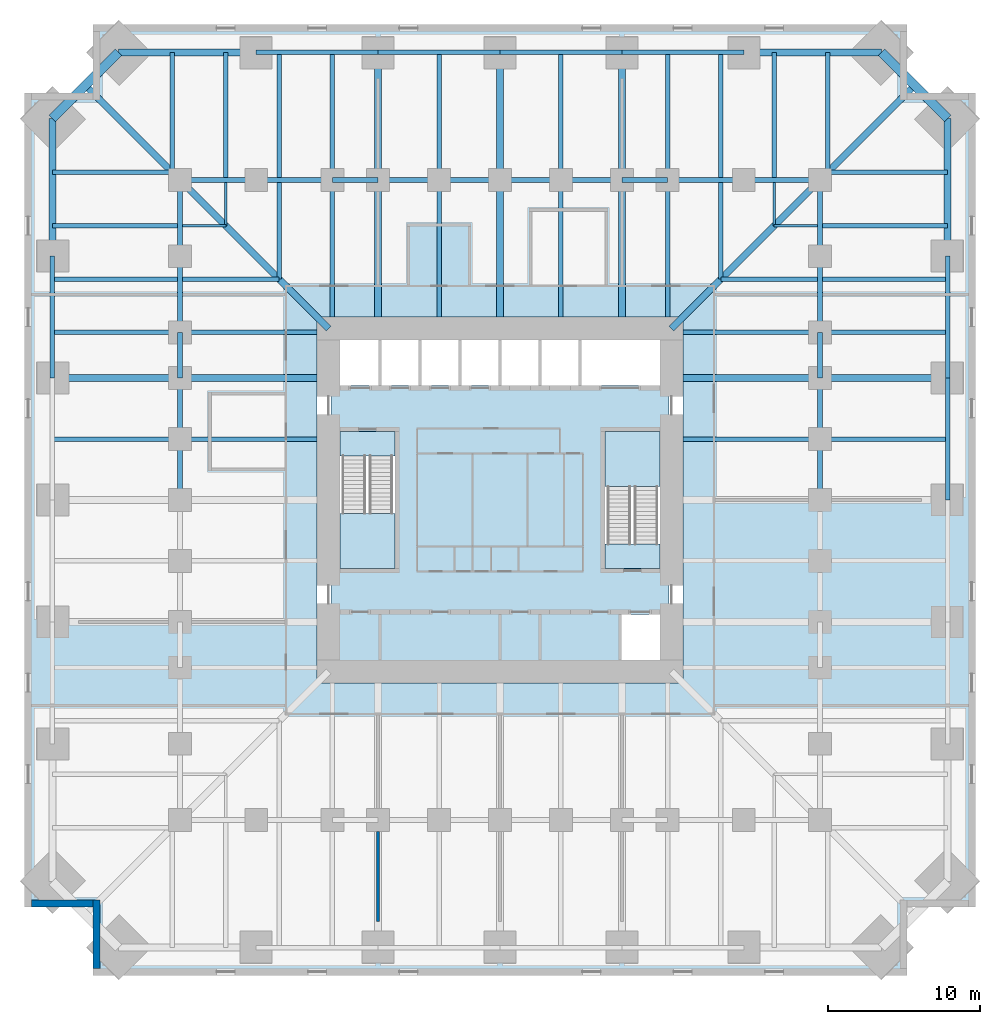
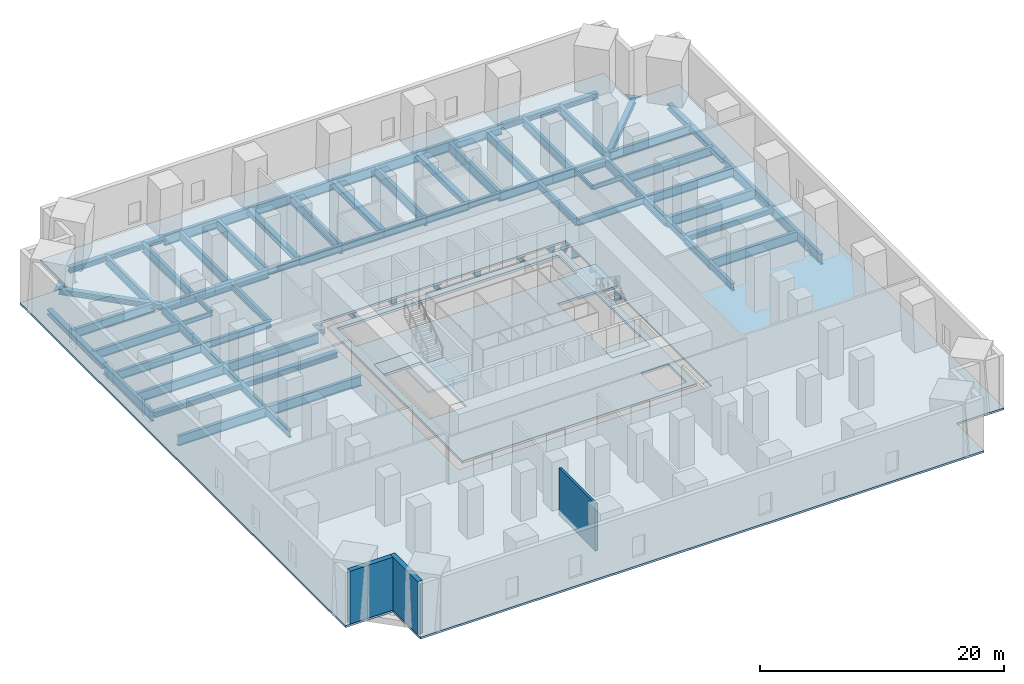
# One storey, part 2 of 8: 83 beams, 6 slabs, 3 walls, 2 elements without a shape of their own.
"""IFC4 building model written with IfcOpenShell, lengths in metres."""

from ifc_helpers import new_model, si_unit, direction, frame, frame_2d, origin, origin_2d, place, context, subcontext, project, spatial, polyline, rectangle, hollow_rectangle, i_section, outline, extrude, material, layer, layer_set, material_profile, profile_set, type_object, element, aggregate, save


model = new_model("IFC4")

# Units and contexts
model_context = context("Model", 3, precision=1e-05, world=origin(), true_north=direction((0.0, 1.0)))
body_context = subcontext(model_context, "Body", "Model", "MODEL_VIEW")
ifc_project = project(units=[si_unit("LENGTHUNIT", "METRE"), si_unit("AREAUNIT", "SQUARE_METRE"), si_unit("VOLUMEUNIT", "CUBIC_METRE"), si_unit("PLANEANGLEUNIT", "RADIAN"), si_unit("MASSUNIT", "GRAM", prefix="KILO")], contexts=[model_context])

# Site, building, storey
site_placement = place(None, origin())
site = spatial("IfcSite", under=ifc_project, at=site_placement, CompositionType="ELEMENT")
building_placement = place(site_placement, origin())
building = spatial("IfcBuilding", under=site, at=building_placement, Name="Peilmerk Tower", CompositionType="ELEMENT")
storey_placement = place(building_placement, frame((0.0, 0.0, 37.5)))
storey = spatial("IfcBuildingStorey", under=building, at=storey_placement, Name="L07", CompositionType="ELEMENT", Elevation=37.5)

# Beams
ifc_material_1 = material(Name="Steel S355", Category="steel")
ifc_material_profile_1 = material_profile(ifc_material_1, i_section(OverallWidth=0.302001953125, OverallDepth=1.008056640625, WebThickness=0.02099609375, FlangeThickness=0.0400390625, at=origin_2d()), Name="HEM 1000")
ifc_profile_set_1 = profile_set([ifc_material_profile_1], Name="Steel S355")
beam_type_1 = type_object("IfcBeamType", Name="B1 HEM 1000 edge beam", PredefinedType="SPANDREL", material=ifc_profile_set_1)
for number, where, z_axis, x_axis, name in (
    (1, (16.0, 29.384765625, -0.7041015625), (-1.0, 0.0, 0.0), (0.0, -1.0, 0.0), "Edge beam L07"),
    (2, (8.0, 29.384765625, -0.7041015625), (-1.0, 0.0, 0.0), (0.0, -1.0, 0.0), "Edge beam L07"),
    (3, (0.0, 29.384765625, -0.7041015625), (-1.0, 0.0, 0.0), (0.0, -1.0, 0.0), "Edge beam L07"),
    (4, (-8.0, 29.384765625, -0.7041015625), (-1.0, 0.0, 0.0), (0.0, -1.0, 0.0), "Edge beam L07"),
    (5, (29.384765625, 0.0, -0.7041015625), (0.0, 1.0, 0.0), (-1.0, 0.0, 0.0), "Edge beam L07"),
    (6, (29.384765625, 8.0, -0.7041015625), (0.0, 1.0, 0.0), (-1.0, 0.0, 0.0), "Edge beam L07"),
    (7, (-29.384765625, 16.0, -0.7041015625), (0.0, -1.0, 0.0), (1.0, 0.0, 0.0), "Edge beam L07"),
):
    element("IfcBeam", number, at=place(storey_placement, frame(where, z_axis=z_axis, x_axis=x_axis)), inside=storey, type_object=beam_type_1, Name=name, PredefinedType="SPANDREL", context=body_context, shape_type="SweptSolid", body=[
        extrude(i_section(OverallWidth=0.302001953125, OverallDepth=1.008056640625, WebThickness=0.02099609375, FlangeThickness=0.0400390625, at=origin_2d()), origin(), (0.0, 0.0, 1.0), 8.0),
    ])
ifc_material_profile_2 = material_profile(ifc_material_1, i_section(OverallWidth=0.300048828125, OverallDepth=0.989990234375, WebThickness=0.0166015625, FlangeThickness=0.031005859375, at=origin_2d()), Name="HEA 1000")
ifc_profile_set_2 = profile_set([ifc_material_profile_2], Name="Steel S355")
beam_type_2 = type_object("IfcBeamType", Name="B14 HEA 1000 floor girder", PredefinedType="BEAM", material=ifc_profile_set_2)
for number, where, z_axis, x_axis, name in (
    (8, (11.0, 21.0, -0.695068359375), (0.0, 1.0, 0.0), (-1.0, 0.0, 0.0), "Floor beam L07"),
    (9, (4.0, 21.0, -0.695068359375), (0.0, 1.0, 0.0), (-1.0, 0.0, 0.0), "Floor beam L07"),
    (10, (-4.0, 21.0, -0.695068359375), (0.0, 1.0, 0.0), (-1.0, 0.0, 0.0), "Floor beam L07"),
    (11, (-11.0, 21.0, -0.695068359375), (0.0, 1.0, 0.0), (-1.0, 0.0, 0.0), "Floor beam L07"),
    (12, (21.0, 4.0, -0.695068359375), (1.0, 0.0, 0.0), (0.0, 1.0, 0.0), "Floor beam L07"),
    (13, (21.0, 11.0, -0.695068359375), (1.0, 0.0, 0.0), (0.0, 1.0, 0.0), "Floor beam L07"),
    (14, (-21.0, 11.0, -0.695068359375), (-1.0, 0.0, 0.0), (0.0, -1.0, 0.0), "Floor beam L07"),
    (15, (-21.0, 4.0, -0.695068359375), (-1.0, 0.0, 0.0), (0.0, -1.0, 0.0), "Floor beam L07"),
):
    element("IfcBeam", number, at=place(storey_placement, frame(where, z_axis=z_axis, x_axis=x_axis)), inside=storey, type_object=beam_type_2, Name=name, PredefinedType="BEAM", context=body_context, shape_type="SweptSolid", body=[
        extrude(i_section(OverallWidth=0.300048828125, OverallDepth=0.989990234375, WebThickness=0.0166015625, FlangeThickness=0.031005859375, at=origin_2d()), origin(), (0.0, 0.0, 1.0), 8.384765625),
    ])
ifc_material_profile_3 = material_profile(ifc_material_1, i_section(OverallWidth=0.300048828125, OverallDepth=0.68994140625, WebThickness=0.014404296875, FlangeThickness=0.027099609375, at=origin_2d()), Name="HEA 700")
ifc_profile_set_3 = profile_set([ifc_material_profile_3], Name="Steel S355")
beam_type_3 = type_object("IfcBeamType", Name="B16 HEA 700 floor beam", PredefinedType="BEAM", material=ifc_profile_set_3)
for number, where, z_axis, x_axis, name in (
    (16, (14.5, 14.5, -0.544921875), (0.0, 1.0, 0.0), (-1.0, 0.0, 0.0), "Floor beam L07"),
    (17, (14.5, 14.5, -0.544921875), (1.0, 0.0, 0.0), (0.0, 1.0, 0.0), "Floor beam L07"),
    (18, (-14.5, 14.5, -0.544921875), (0.0, 1.0, 0.0), (-1.0, 0.0, 0.0), "Floor beam L07"),
    (19, (-14.5, 14.5, -0.544921875), (-1.0, 0.0, 0.0), (0.0, -1.0, 0.0), "Floor beam L07"),
):
    element("IfcBeam", number, at=place(storey_placement, frame(where, z_axis=z_axis, x_axis=x_axis)), inside=storey, type_object=beam_type_3, Name=name, PredefinedType="BEAM", context=body_context, shape_type="SweptSolid", body=[
        extrude(i_section(OverallWidth=0.300048828125, OverallDepth=0.68994140625, WebThickness=0.014404296875, FlangeThickness=0.027099609375, at=origin_2d()), origin(), (0.0, 0.0, 1.0), 6.34912109375),
    ])
ifc_material_2 = material(Name="Steel S460", Category="steel")
ifc_material_profile_4 = material_profile(ifc_material_2, i_section(OverallWidth=0.4541015625, OverallDepth=0.569091796875, WebThickness=0.077880859375, FlangeThickness=0.125, at=origin_2d()), Name="HD 400x1086")
ifc_profile_set_4 = profile_set([ifc_material_profile_4], Name="Steel S460")
beam_type_4 = type_object("IfcBeamType", Name="B17 HD 400x1086 edge beam", PredefinedType="SPANDREL", material=ifc_profile_set_4)
for number, where, z_axis, x_axis, name in (
    (20, (25.03466796875, 29.384765625, -0.484619140625), (-1.0, 0.0, 0.0), (0.0, -1.0, 0.0), "Edge beam L07"),
    (21, (-16.0, 29.384765625, -0.484619140625), (-1.0, 0.0, 0.0), (0.0, -1.0, 0.0), "Edge beam L07"),
    (22, (29.384765625, 16.0, -0.484619140625), (0.0, 1.0, 0.0), (-1.0, 0.0, 0.0), "Edge beam L07"),
    (23, (-29.384765625, 25.03466796875, -0.484619140625), (0.0, -1.0, 0.0), (1.0, 0.0, 0.0), "Edge beam L07"),
):
    element("IfcBeam", number, at=place(storey_placement, frame(where, z_axis=z_axis, x_axis=x_axis)), inside=storey, type_object=beam_type_4, Name=name, PredefinedType="SPANDREL", context=body_context, shape_type="SweptSolid", body=[
        extrude(i_section(OverallWidth=0.4541015625, OverallDepth=0.569091796875, WebThickness=0.077880859375, FlangeThickness=0.125, at=origin_2d()), origin(), (0.0, 0.0, 1.0), 9.03466796875),
    ])
ifc_material_profile_5 = material_profile(ifc_material_1, i_section(OverallWidth=0.302001953125, OverallDepth=0.909912109375, WebThickness=0.02099609375, FlangeThickness=0.0400390625, at=origin_2d()), Name="HEM 900")
ifc_profile_set_5 = profile_set([ifc_material_profile_5], Name="Steel S355")
beam_type_5 = type_object("IfcBeamType", Name="B18 HEM 900 ring girder", PredefinedType="BEAM", material=ifc_profile_set_5)
for number, where, z_axis, x_axis, name in (
    (24, (21.0, 21.0, -0.655029296875), (-1.0, 0.0, 0.0), (0.0, -1.0, 0.0), "Ring girder L07"),
    (25, (16.0, 21.0, -0.655029296875), (-1.0, 0.0, 0.0), (0.0, -1.0, 0.0), "Ring girder L07"),
    (26, (-11.0, 21.0, -0.655029296875), (-1.0, 0.0, 0.0), (0.0, -1.0, 0.0), "Ring girder L07"),
    (27, (-16.0, 21.0, -0.655029296875), (-1.0, 0.0, 0.0), (0.0, -1.0, 0.0), "Ring girder L07"),
    (28, (21.0, 11.0, -0.655029296875), (0.0, 1.0, 0.0), (-1.0, 0.0, 0.0), "Ring girder L07"),
    (29, (21.0, 16.0, -0.655029296875), (0.0, 1.0, 0.0), (-1.0, 0.0, 0.0), "Ring girder L07"),
    (30, (-21.0, 21.0, -0.655029296875), (0.0, -1.0, 0.0), (1.0, 0.0, 0.0), "Ring girder L07"),
    (31, (-21.0, 16.0, -0.655029296875), (0.0, -1.0, 0.0), (1.0, 0.0, 0.0), "Ring girder L07"),
):
    element("IfcBeam", number, at=place(storey_placement, frame(where, z_axis=z_axis, x_axis=x_axis)), inside=storey, type_object=beam_type_5, Name=name, PredefinedType="BEAM", context=body_context, shape_type="SweptSolid", body=[
        extrude(i_section(OverallWidth=0.302001953125, OverallDepth=0.909912109375, WebThickness=0.02099609375, FlangeThickness=0.0400390625, at=origin_2d()), origin(), (0.0, 0.0, 1.0), 5.0),
    ])
ifc_material_profile_6 = material_profile(ifc_material_1, i_section(OverallWidth=0.303955078125, OverallDepth=0.716064453125, WebThickness=0.02099609375, FlangeThickness=0.0400390625, at=origin_2d()), Name="HEM 700")
ifc_profile_set_6 = profile_set([ifc_material_profile_6], Name="Steel S355")
beam_type_6 = type_object("IfcBeamType", Name="B19 HEM 700 ring girder", PredefinedType="BEAM", material=ifc_profile_set_6)
for number, where, z_axis, x_axis, name in (
    (32, (8.0, 21.0, -0.55810546875), (-1.0, 0.0, 0.0), (0.0, -1.0, 0.0), "Ring girder L07"),
    (33, (4.0, 21.0, -0.55810546875), (-1.0, 0.0, 0.0), (0.0, -1.0, 0.0), "Ring girder L07"),
    (34, (0.0, 21.0, -0.55810546875), (-1.0, 0.0, 0.0), (0.0, -1.0, 0.0), "Ring girder L07"),
    (35, (-4.0, 21.0, -0.55810546875), (-1.0, 0.0, 0.0), (0.0, -1.0, 0.0), "Ring girder L07"),
    (36, (21.0, 0.0, -0.55810546875), (0.0, 1.0, 0.0), (-1.0, 0.0, 0.0), "Ring girder L07"),
    (37, (21.0, 4.0, -0.55810546875), (0.0, 1.0, 0.0), (-1.0, 0.0, 0.0), "Ring girder L07"),
    (38, (-21.0, 8.0, -0.55810546875), (0.0, -1.0, 0.0), (1.0, 0.0, 0.0), "Ring girder L07"),
    (39, (-21.0, 4.0, -0.55810546875), (0.0, -1.0, 0.0), (1.0, 0.0, 0.0), "Ring girder L07"),
):
    element("IfcBeam", number, at=place(storey_placement, frame(where, z_axis=z_axis, x_axis=x_axis)), inside=storey, type_object=beam_type_6, Name=name, PredefinedType="BEAM", context=body_context, shape_type="SweptSolid", body=[
        extrude(i_section(OverallWidth=0.303955078125, OverallDepth=0.716064453125, WebThickness=0.02099609375, FlangeThickness=0.0400390625, at=origin_2d()), origin(), (0.0, 0.0, 1.0), 4.0),
    ])
ifc_material_profile_7 = material_profile(ifc_material_2, hollow_rectangle(XDim=0.60009765625, YDim=0.60009765625, WallThickness=0.06005859375, at=origin_2d()), Name="BOX 600x600x60")
ifc_profile_set_7 = profile_set([ifc_material_profile_7], Name="Steel S460")
beam_type_7 = type_object("IfcBeamType", Name="B20 BOX 600x600x60 notch beam", PredefinedType="SPANDREL", material=ifc_profile_set_7)
for number, where, z_axis, x_axis, name in (
    (40, (25.03466796875, 29.384765625, -0.5), (0.707106781187, -0.707106781187, 0.0), (0.707106781187, 0.707106781187, 0.0), "Notch beam L07"),
    (41, (-29.384765625, 25.03466796875, -0.5), (0.707106781187, 0.707106781187, 0.0), (-0.707106781187, 0.707106781187, 0.0), "Notch beam L07"),
):
    element("IfcBeam", number, at=place(storey_placement, frame(where, z_axis=z_axis, x_axis=x_axis)), inside=storey, type_object=beam_type_7, Name=name, PredefinedType="SPANDREL", context=body_context, shape_type="SweptSolid", body=[
        extrude(hollow_rectangle(XDim=0.60009765625, YDim=0.60009765625, WallThickness=0.06005859375, at=origin_2d()), origin(), (0.0, 0.0, 1.0), 6.15185546875),
    ])
ifc_material_profile_8 = material_profile(ifc_material_1, i_section(OverallWidth=0.18994140625, OverallDepth=0.449951171875, WebThickness=0.009521484375, FlangeThickness=0.0146484375, at=origin_2d()), Name="IPE 450")
ifc_profile_set_8 = profile_set([ifc_material_profile_8], Name="Steel S355")
beam_type_8 = type_object("IfcBeamType", Name="B21 IPE 450 floor beam", PredefinedType="BEAM", material=ifc_profile_set_8)
for number, where, z_axis, x_axis, name in (
    (42, (18.0, 18.0, -0.425048828125), (0.0, 1.0, 0.0), (-1.0, 0.0, 0.0), "Floor beam L07"),
    (43, (18.0, 18.0, -0.425048828125), (1.0, 0.0, 0.0), (0.0, 1.0, 0.0), "Floor beam L07"),
    (44, (-18.0, 18.0, -0.425048828125), (0.0, 1.0, 0.0), (-1.0, 0.0, 0.0), "Floor beam L07"),
    (45, (-18.0, 18.0, -0.425048828125), (-1.0, 0.0, 0.0), (0.0, -1.0, 0.0), "Floor beam L07"),
):
    element("IfcBeam", number, at=place(storey_placement, frame(where, z_axis=z_axis, x_axis=x_axis)), inside=storey, type_object=beam_type_8, Name=name, PredefinedType="BEAM", context=body_context, shape_type="SweptSolid", body=[
        extrude(i_section(OverallWidth=0.18994140625, OverallDepth=0.449951171875, WebThickness=0.009521484375, FlangeThickness=0.0146484375, at=origin_2d()), origin(), (0.0, 0.0, 1.0), 2.84912109375),
    ])
ifc_material_profile_9 = material_profile(ifc_material_1, i_section(OverallWidth=0.4541015625, OverallDepth=0.569091796875, WebThickness=0.077880859375, FlangeThickness=0.125, at=origin_2d()), Name="HD 400x1086")
ifc_profile_set_9 = profile_set([ifc_material_profile_9], Name="Steel S355")
beam_type_9 = type_object("IfcBeamType", Name="B22 HD 400x1086 floor girder", PredefinedType="BEAM", material=ifc_profile_set_9)
for number, where, z_axis, x_axis, name in (
    (46, (8.0, 21.0, -0.484619140625), (0.0, 1.0, 0.0), (-1.0, 0.0, 0.0), "Floor girder L07"),
    (47, (0.0, 21.0, -0.484619140625), (0.0, 1.0, 0.0), (-1.0, 0.0, 0.0), "Floor girder L07"),
    (48, (-8.0, 21.0, -0.484619140625), (0.0, 1.0, 0.0), (-1.0, 0.0, 0.0), "Floor girder L07"),
    (49, (21.0, 8.0, -0.484619140625), (1.0, 0.0, 0.0), (0.0, 1.0, 0.0), "Floor girder L07"),
    (50, (-21.0, 8.0, -0.484619140625), (-1.0, 0.0, 0.0), (0.0, -1.0, 0.0), "Floor girder L07"),
):
    element("IfcBeam", number, at=place(storey_placement, frame(where, z_axis=z_axis, x_axis=x_axis)), inside=storey, type_object=beam_type_9, Name=name, PredefinedType="BEAM", context=body_context, shape_type="SweptSolid", body=[
        extrude(i_section(OverallWidth=0.4541015625, OverallDepth=0.569091796875, WebThickness=0.077880859375, FlangeThickness=0.125, at=origin_2d()), origin(), (0.0, 0.0, 1.0), 8.384765625),
    ])
ifc_material_profile_10 = material_profile(ifc_material_1, i_section(OverallWidth=0.300048828125, OverallDepth=0.889892578125, WebThickness=0.01611328125, FlangeThickness=0.030029296875, at=origin_2d()), Name="HEA 900")
ifc_profile_set_10 = profile_set([ifc_material_profile_10], Name="Steel S355")
beam_type_10 = type_object("IfcBeamType", Name="B4 HEA 900 floor beam", PredefinedType="BEAM", material=ifc_profile_set_10)
for number, where, z_axis, x_axis, name in (
    (51, (14.5, 21.15087890625, -0.64501953125), (0.0, 1.0, 0.0), (-1.0, 0.0, 0.0), "Floor beam L07"),
    (52, (21.15087890625, 14.5, -0.64501953125), (1.0, 0.0, 0.0), (0.0, 1.0, 0.0), "Floor beam L07"),
    (53, (18.0, 21.15087890625, -0.64501953125), (0.0, 1.0, 0.0), (-1.0, 0.0, 0.0), "Floor beam L07"),
    (54, (21.15087890625, 18.0, -0.64501953125), (1.0, 0.0, 0.0), (0.0, 1.0, 0.0), "Floor beam L07"),
):
    element("IfcBeam", number, at=place(storey_placement, frame(where, z_axis=z_axis, x_axis=x_axis)), inside=storey, type_object=beam_type_10, Name=name, PredefinedType="BEAM", context=body_context, shape_type="SweptSolid", body=[
        extrude(i_section(OverallWidth=0.300048828125, OverallDepth=0.889892578125, WebThickness=0.01611328125, FlangeThickness=0.030029296875, at=origin_2d()), origin(), (0.0, 0.0, 1.0), 8.23388671875),
    ])
for number, where, z_axis, x_axis, name in (
    (55, (21.5, 21.5, -0.64501953125), (0.0, 1.0, 0.0), (-1.0, 0.0, 0.0), "Floor beam L07"),
    (56, (21.5, 21.5, -0.64501953125), (1.0, 0.0, 0.0), (0.0, 1.0, 0.0), "Floor beam L07"),
):
    element("IfcBeam", number, at=place(storey_placement, frame(where, z_axis=z_axis, x_axis=x_axis)), inside=storey, type_object=beam_type_10, Name=name, PredefinedType="BEAM", context=body_context, shape_type="SweptSolid", body=[
        extrude(i_section(OverallWidth=0.300048828125, OverallDepth=0.889892578125, WebThickness=0.01611328125, FlangeThickness=0.030029296875, at=origin_2d()), origin(), (0.0, 0.0, 1.0), 7.884765625),
    ])
for number, where, z_axis, x_axis, name in (
    (57, (-14.5, 21.15087890625, -0.64501953125), (0.0, 1.0, 0.0), (-1.0, 0.0, 0.0), "Floor beam L07"),
    (58, (-21.15087890625, 14.5, -0.64501953125), (-1.0, 0.0, 0.0), (0.0, -1.0, 0.0), "Floor beam L07"),
    (59, (-18.0, 21.15087890625, -0.64501953125), (0.0, 1.0, 0.0), (-1.0, 0.0, 0.0), "Floor beam L07"),
    (60, (-21.15087890625, 18.0, -0.64501953125), (-1.0, 0.0, 0.0), (0.0, -1.0, 0.0), "Floor beam L07"),
):
    element("IfcBeam", number, at=place(storey_placement, frame(where, z_axis=z_axis, x_axis=x_axis)), inside=storey, type_object=beam_type_10, Name=name, PredefinedType="BEAM", context=body_context, shape_type="SweptSolid", body=[
        extrude(i_section(OverallWidth=0.300048828125, OverallDepth=0.889892578125, WebThickness=0.01611328125, FlangeThickness=0.030029296875, at=origin_2d()), origin(), (0.0, 0.0, 1.0), 8.23388671875),
    ])
for number, where, z_axis, x_axis, name in (
    (61, (-21.5, 21.5, -0.64501953125), (0.0, 1.0, 0.0), (-1.0, 0.0, 0.0), "Floor beam L07"),
    (62, (-21.5, 21.5, -0.64501953125), (-1.0, 0.0, 0.0), (0.0, -1.0, 0.0), "Floor beam L07"),
):
    element("IfcBeam", number, at=place(storey_placement, frame(where, z_axis=z_axis, x_axis=x_axis)), inside=storey, type_object=beam_type_10, Name=name, PredefinedType="BEAM", context=body_context, shape_type="SweptSolid", body=[
        extrude(i_section(OverallWidth=0.300048828125, OverallDepth=0.889892578125, WebThickness=0.01611328125, FlangeThickness=0.030029296875, at=origin_2d()), origin(), (0.0, 0.0, 1.0), 7.884765625),
    ])
ifc_material_profile_11 = material_profile(ifc_material_1, i_section(OverallWidth=0.300048828125, OverallDepth=1.0, WebThickness=0.01904296875, FlangeThickness=0.035888671875, at=origin_2d()), Name="HEB 1000")
ifc_profile_set_11 = profile_set([ifc_material_profile_11], Name="Steel S355")
beam_type_11 = type_object("IfcBeamType", Name="B5 HEB 1000 floor girder", PredefinedType="BEAM", material=ifc_profile_set_11)
for number, where, z_axis, x_axis, name in (
    (63, (11.0, 12.0, -0.699951171875), (0.0, 1.0, 0.0), (-1.0, 0.0, 0.0), "Floor beam L07"),
    (64, (4.0, 12.0, -0.699951171875), (0.0, 1.0, 0.0), (-1.0, 0.0, 0.0), "Floor beam L07"),
    (65, (-4.0, 12.0, -0.699951171875), (0.0, 1.0, 0.0), (-1.0, 0.0, 0.0), "Floor beam L07"),
    (66, (-11.0, 12.0, -0.699951171875), (0.0, 1.0, 0.0), (-1.0, 0.0, 0.0), "Floor beam L07"),
    (67, (12.0, 4.0, -0.699951171875), (1.0, 0.0, 0.0), (0.0, 1.0, 0.0), "Floor beam L07"),
    (68, (12.0, 11.0, -0.699951171875), (1.0, 0.0, 0.0), (0.0, 1.0, 0.0), "Floor beam L07"),
    (69, (-12.0, 11.0, -0.699951171875), (-1.0, 0.0, 0.0), (0.0, -1.0, 0.0), "Floor beam L07"),
    (70, (-12.0, 4.0, -0.699951171875), (-1.0, 0.0, 0.0), (0.0, -1.0, 0.0), "Floor beam L07"),
):
    element("IfcBeam", number, at=place(storey_placement, frame(where, z_axis=z_axis, x_axis=x_axis)), inside=storey, type_object=beam_type_11, Name=name, PredefinedType="BEAM", context=body_context, shape_type="SweptSolid", body=[
        extrude(i_section(OverallWidth=0.300048828125, OverallDepth=1.0, WebThickness=0.01904296875, FlangeThickness=0.035888671875, at=origin_2d()), origin(), (0.0, 0.0, 1.0), 9.0),
    ])
ifc_material_profile_12 = material_profile(ifc_material_1, i_section(OverallWidth=0.304931640625, OverallDepth=0.6201171875, WebThickness=0.02099609375, FlangeThickness=0.0400390625, at=origin_2d()), Name="HEM 600")
ifc_profile_set_12 = profile_set([ifc_material_profile_12], Name="Steel S355")
beam_type_12 = type_object("IfcBeamType", Name="B6 HEM 600 ring girder", PredefinedType="BEAM", material=ifc_profile_set_12)
for number, where, z_axis, x_axis, name in (
    (71, (11.0, 21.0, -0.510009765625), (-1.0, 0.0, 0.0), (0.0, -1.0, 0.0), "Ring girder L07"),
    (72, (-8.0, 21.0, -0.510009765625), (-1.0, 0.0, 0.0), (0.0, -1.0, 0.0), "Ring girder L07"),
    (73, (21.0, 8.0, -0.510009765625), (0.0, 1.0, 0.0), (-1.0, 0.0, 0.0), "Ring girder L07"),
    (74, (-21.0, 11.0, -0.510009765625), (0.0, -1.0, 0.0), (1.0, 0.0, 0.0), "Ring girder L07"),
):
    element("IfcBeam", number, at=place(storey_placement, frame(where, z_axis=z_axis, x_axis=x_axis)), inside=storey, type_object=beam_type_12, Name=name, PredefinedType="BEAM", context=body_context, shape_type="SweptSolid", body=[
        extrude(i_section(OverallWidth=0.304931640625, OverallDepth=0.6201171875, WebThickness=0.02099609375, FlangeThickness=0.0400390625, at=origin_2d()), origin(), (0.0, 0.0, 1.0), 3.0),
    ])
ifc_material_profile_13 = material_profile(ifc_material_2, i_section(OverallWidth=0.4541015625, OverallDepth=0.569091796875, WebThickness=0.077880859375, FlangeThickness=0.125, at=origin_2d()), Name="HD 400x1086")
ifc_profile_set_13 = profile_set([ifc_material_profile_13], Name="Steel S460")
beam_type_13 = type_object("IfcBeamType", Name="B9 HD 400x1086 corner girder", PredefinedType="BEAM", material=ifc_profile_set_13)
for number, where, z_axis, x_axis, name in (
    (75, (8.0, 12.0, -0.484619140625), (0.0, 1.0, 0.0), (-1.0, 0.0, 0.0), "Floor girder L07"),
    (76, (0.0, 12.0, -0.484619140625), (0.0, 1.0, 0.0), (-1.0, 0.0, 0.0), "Floor girder L07"),
    (77, (-8.0, 12.0, -0.484619140625), (0.0, 1.0, 0.0), (-1.0, 0.0, 0.0), "Floor girder L07"),
    (78, (12.0, 8.0, -0.484619140625), (1.0, 0.0, 0.0), (0.0, 1.0, 0.0), "Floor girder L07"),
    (79, (-12.0, 8.0, -0.484619140625), (-1.0, 0.0, 0.0), (0.0, -1.0, 0.0), "Floor girder L07"),
):
    element("IfcBeam", number, at=place(storey_placement, frame(where, z_axis=z_axis, x_axis=x_axis)), inside=storey, type_object=beam_type_13, Name=name, PredefinedType="BEAM", context=body_context, shape_type="SweptSolid", body=[
        extrude(i_section(OverallWidth=0.4541015625, OverallDepth=0.569091796875, WebThickness=0.077880859375, FlangeThickness=0.125, at=origin_2d()), origin(), (0.0, 0.0, 1.0), 9.0),
    ])
beam_1_placement = place(storey_placement, frame((11.25, 11.25, -0.484619140625), z_axis=(0.707106781187, 0.707106781187, 0.0), x_axis=(-0.707106781187, 0.707106781187, 0.0)))
element("IfcBeam", 80, at=beam_1_placement, inside=storey, type_object=beam_type_13, Name="Corner girder L07", PredefinedType="BEAM", context=body_context, shape_type="SweptSolid", body=[
    extrude(i_section(OverallWidth=0.4541015625, OverallDepth=0.569091796875, WebThickness=0.077880859375, FlangeThickness=0.125, at=origin_2d()), origin(), (0.0, 0.0, 1.0), 13.78857421875),
])
beam_2_placement = place(storey_placement, frame((21.0, 21.0, -0.484619140625), z_axis=(0.707106781187, 0.707106781187, 0.0), x_axis=(-0.707106781187, 0.707106781187, 0.0)))
element("IfcBeam", 81, at=beam_2_placement, inside=storey, type_object=beam_type_13, Name="Corner girder L07", PredefinedType="BEAM", context=body_context, shape_type="SweptSolid", body=[
    extrude(i_section(OverallWidth=0.4541015625, OverallDepth=0.569091796875, WebThickness=0.077880859375, FlangeThickness=0.125, at=origin_2d()), origin(), (0.0, 0.0, 1.0), 8.781982421875),
])
beam_3_placement = place(storey_placement, frame((-11.25, 11.25, -0.484619140625), z_axis=(-0.707106781187, 0.707106781187, 0.0), x_axis=(-0.707106781187, -0.707106781187, 0.0)))
element("IfcBeam", 82, at=beam_3_placement, inside=storey, type_object=beam_type_13, Name="Corner girder L07", PredefinedType="BEAM", context=body_context, shape_type="SweptSolid", body=[
    extrude(i_section(OverallWidth=0.4541015625, OverallDepth=0.569091796875, WebThickness=0.077880859375, FlangeThickness=0.125, at=origin_2d()), origin(), (0.0, 0.0, 1.0), 13.78857421875),
])
beam_4_placement = place(storey_placement, frame((-21.0, 21.0, -0.484619140625), z_axis=(-0.707106781187, 0.707106781187, 0.0), x_axis=(-0.707106781187, -0.707106781187, 0.0)))
element("IfcBeam", 83, at=beam_4_placement, inside=storey, type_object=beam_type_13, Name="Corner girder L07", PredefinedType="BEAM", context=body_context, shape_type="SweptSolid", body=[
    extrude(i_section(OverallWidth=0.4541015625, OverallDepth=0.569091796875, WebThickness=0.077880859375, FlangeThickness=0.125, at=origin_2d()), origin(), (0.0, 0.0, 1.0), 8.781982421875),
])

# Slabs
ifc_material_3 = material(Name="Concrete C55/67", Category="concrete")
ifc_layer_1 = layer(ifc_material_3, 0.25)
ifc_layer_set_1 = layer_set([ifc_layer_1], Name="Concrete C55/67")
slab_type_1 = type_object("IfcSlabType", Name="CS250 250 core floor slab", PredefinedType="FLOOR", material=ifc_layer_set_1)
slab_1_placement = place(storey_placement, frame((0.0, 0.0, -0.25)))
element("IfcSlab", 84, at=slab_1_placement, inside=storey, type_object=slab_type_1, Name="Core slab L07", PredefinedType="FLOOR", context=body_context, shape_type="SweptSolid", body=[
    extrude(outline(polyline([(-11.10009765625, 11.10009765625), (-11.10009765625, -11.10009765625), (11.10009765625, -11.10009765625), (11.10009765625, 11.10009765625), (-11.10009765625, 11.10009765625)]), holes=[polyline([(10.5, 7.5), (-10.5, 7.5), (-10.5, 10.5), (10.5, 10.5), (10.5, 7.5)]), polyline([(7.875, -10.5), (7.875, -7.5), (10.5, -7.5), (10.5, -10.5), (7.875, -10.5)]), polyline([(-10.5, 4.5), (-6.89990234375, 4.5), (-6.89990234375, -4.5), (-10.5, -4.5), (-10.5, 4.5)]), polyline([(10.5, 4.5), (10.5, -4.5), (6.89990234375, -4.5), (6.89990234375, 4.5), (10.5, 4.5)])]), origin(), (0.0, 0.0, 1.0), 0.25),
])
ifc_material_4 = material(Name="Concrete C35/45", Category="concrete")
ifc_layer_2 = layer(ifc_material_4, 0.199951171875)
ifc_layer_set_2 = layer_set([ifc_layer_2], Name="Concrete C35/45")
slab_type_2 = type_object("IfcSlabType", Name="FS200 200 composite floor slab", PredefinedType="FLOOR", material=ifc_layer_set_2)
slab_2_placement = place(storey_placement, frame((0.0, 0.0, -0.199951171875)))
element("IfcSlab", 85, at=slab_2_placement, inside=storey, type_object=slab_type_2, Name="Floor slab L07", PredefinedType="FLOOR", context=body_context, shape_type="SweptSolid", body=[
    extrude(outline(polyline([(-26.699951171875, -31.199951171875), (26.699951171875, -31.199951171875), (26.699951171875, -26.699951171875), (31.199951171875, -26.699951171875), (31.199951171875, 26.699951171875), (26.699951171875, 26.699951171875), (26.699951171875, 31.199951171875), (-26.699951171875, 31.199951171875), (-26.699951171875, 26.699951171875), (-31.199951171875, 26.699951171875), (-31.199951171875, -26.699951171875), (-26.699951171875, -26.699951171875), (-26.699951171875, -31.199951171875)]), holes=[polyline([(12.0, 12.0), (12.0, -12.0), (-12.0, -12.0), (-12.0, 12.0), (12.0, 12.0)])]), origin(), (0.0, 0.0, 1.0), 0.199951171875),
])

# Stair, slab
ifc_material_5 = material(Name="Precast concrete C45/55", Category="concrete")
stair_type_1 = type_object("IfcStairType", Name="ST1 30 risers of 183.3", PredefinedType="HALF_TURN_STAIR", material=ifc_material_5)
stair_1_placement = place(storey_placement, origin())
stair_1 = element("IfcStair", 86, at=stair_1_placement, inside=storey, type_object=stair_type_1, Name="Stair 1 L07 to L08", PredefinedType="HALF_TURN_STAIR")
ifc_layer_3 = layer(ifc_material_4, 0.199951171875)
ifc_layer_set_3 = layer_set([ifc_layer_3], Name="Concrete C35/45")
slab_type_3 = type_object("IfcSlabType", Name="SL1 200 concrete stair landing", PredefinedType="LANDING", material=ifc_layer_set_3)
slab_3_placement = place(storey_placement, frame((0.0, 0.0, 2.550048828125)))
slab_3 = element("IfcSlab", 87, at=slab_3_placement, type_object=slab_type_3, Name="ST1 landing 1", PredefinedType="LANDING", context=body_context, shape_type="SweptSolid", body=[
    extrude(outline(polyline([(-10.5, -4.5), (-6.89990234375, -4.5), (-6.89990234375, -0.8798828125), (-10.5, -0.8798828125), (-10.5, -4.5)])), origin(), (0.0, 0.0, 1.0), 0.199951171875),
])

stair_type_2 = type_object("IfcStairType", Name="ST2 30 risers of 183.3", PredefinedType="HALF_TURN_STAIR", material=ifc_material_5)
stair_2_placement = place(storey_placement, origin())
stair_2 = element("IfcStair", 88, at=stair_2_placement, inside=storey, type_object=stair_type_2, Name="Stair 2 L07 to L08", PredefinedType="HALF_TURN_STAIR")
slab_4_placement = place(storey_placement, frame((0.0, 0.0, 2.550048828125)))
slab_4 = element("IfcSlab", 89, at=slab_4_placement, type_object=slab_type_3, Name="ST2 landing 1", PredefinedType="LANDING", context=body_context, shape_type="SweptSolid", body=[
    extrude(outline(polyline([(6.89990234375, 0.8798828125), (10.5, 0.8798828125), (10.5, 4.5), (6.89990234375, 4.5), (6.89990234375, 0.8798828125)])), origin(), (0.0, 0.0, 1.0), 0.199951171875),
])

# Slab
ifc_layer_4 = layer(ifc_material_4, 0.25)
ifc_layer_set_4 = layer_set([ifc_layer_4], Name="Concrete C35/45")
slab_type_4 = type_object("IfcSlabType", Name="SL2 250 concrete floor landing", PredefinedType="LANDING", material=ifc_layer_set_4)
slab_5_placement = place(storey_placement, frame((0.0, 0.0, -0.25)))
slab_5 = element("IfcSlab", 90, at=slab_5_placement, type_object=slab_type_4, Name="ST1 floor landing", PredefinedType="LANDING", context=body_context, shape_type="SweptSolid", body=[
    extrude(outline(polyline([(-10.5, 2.89990234375), (-6.89990234375, 2.89990234375), (-6.89990234375, 4.5), (-10.5, 4.5), (-10.5, 2.89990234375)])), origin(), (0.0, 0.0, 1.0), 0.25),
])

aggregate(stair_1, [slab_3, slab_5])

slab_6_placement = place(storey_placement, frame((0.0, 0.0, -0.25)))
slab_6 = element("IfcSlab", 91, at=slab_6_placement, type_object=slab_type_4, Name="ST2 floor landing", PredefinedType="LANDING", context=body_context, shape_type="SweptSolid", body=[
    extrude(outline(polyline([(6.89990234375, -4.5), (10.5, -4.5), (10.5, -2.89990234375), (6.89990234375, -2.89990234375), (6.89990234375, -4.5)])), origin(), (0.0, 0.0, 1.0), 0.25),
])

aggregate(stair_2, [slab_4, slab_6])

# Walls
ifc_material_6 = material(Name="Precast concrete C45/55, board-marked finish", Category="concrete")
ifc_layer_5 = layer(ifc_material_6, 0.449951171875)
ifc_layer_set_5 = layer_set([ifc_layer_5], Name="Precast concrete C45/55, board-marked finish")
wall_type_1 = type_object("IfcWallType", Name="EW1 450 precast concrete facade wall, board-marked", PredefinedType="SOLIDWALL", material=ifc_layer_set_5)
wall_1_placement = place(storey_placement, frame((-26.47509765625, -26.25, 0.0), z_axis=(0.0, 0.0, 1.0), x_axis=(0.0, -1.0, 0.0)))
element("IfcWall", 92, at=wall_1_placement, inside=storey, type_object=wall_type_1, Name="Facade wall SWA L07", PredefinedType="SOLIDWALL", context=body_context, shape_type="SweptSolid", body=[
    extrude(rectangle(XDim=4.5, YDim=0.449951171875, at=frame_2d((2.25, 0.0))), origin(), (0.0, 0.0, 1.0), 5.300048828125),
])
wall_2_placement = place(storey_placement, frame((-26.699951171875, -26.47509765625, 0.0), z_axis=(0.0, 0.0, 1.0), x_axis=(-1.0, 0.0, 0.0)))
element("IfcWall", 93, at=wall_2_placement, inside=storey, type_object=wall_type_1, Name="Facade wall SWB L07", PredefinedType="SOLIDWALL", context=body_context, shape_type="SweptSolid", body=[
    extrude(rectangle(XDim=4.050048828125, YDim=0.449951171875, at=frame_2d((2.02490234375, 0.0))), origin(), (0.0, 0.0, 1.0), 5.300048828125),
])
ifc_material_7 = material(Name="Calcium silicate block", Category="masonry")
ifc_layer_6 = layer(ifc_material_7, 0.199951171875)
ifc_layer_set_6 = layer_set([ifc_layer_6], Name="Calcium silicate block")
wall_type_2 = type_object("IfcWallType", Name="IW2 200 room separating wall, EI 120", PredefinedType="PARTITIONING", material=ifc_layer_set_6)
wall_3_placement = place(storey_placement, frame((-8.0, -21.75, 0.0), z_axis=(0.0, 0.0, 1.0), x_axis=(0.0, -1.0, 0.0)))
element("IfcWall", 94, at=wall_3_placement, inside=storey, type_object=wall_type_2, Name="Room separating wall S1b L07", PredefinedType="PARTITIONING", context=body_context, shape_type="SweptSolid", body=[
    extrude(rectangle(XDim=5.927978515625, YDim=0.199951171875, at=frame_2d((2.9638671875, 0.0))), origin(), (0.0, 0.0, 1.0), 4.73095703125),
])

save(model, "model.ifc")
